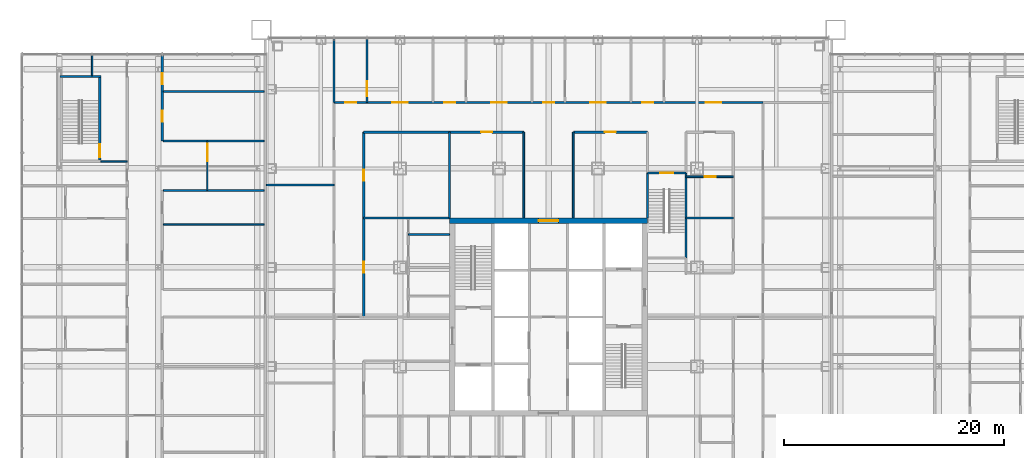
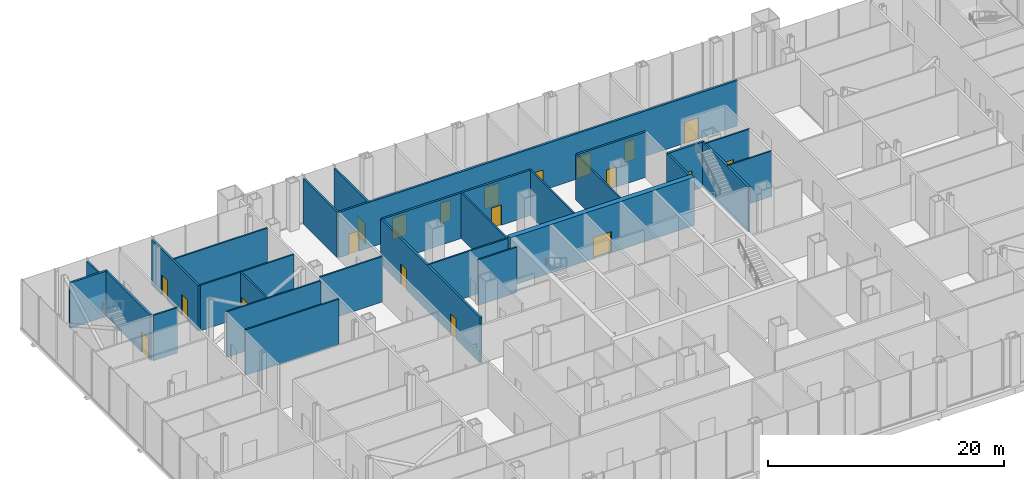
# One storey, part 16 of 25: 28 walls, 20 doors, 20 openings.
"""IFC4 building model written with IfcOpenShell, lengths in metres."""

from ifc_helpers import new_model, si_unit, direction, frame, frame_2d, origin, place, context, subcontext, project, spatial, rectangle, extrude, material, layer, layer_set, type_object, element, fill, save


model = new_model("IFC4")

# Units and contexts
model_context = context("Model", 3, precision=1e-05, world=origin(), true_north=direction((0.0, 1.0)))
body_context = subcontext(model_context, "Body", "Model", "MODEL_VIEW")
ifc_project = project(units=[si_unit("LENGTHUNIT", "METRE"), si_unit("AREAUNIT", "SQUARE_METRE"), si_unit("VOLUMEUNIT", "CUBIC_METRE"), si_unit("PLANEANGLEUNIT", "RADIAN"), si_unit("MASSUNIT", "GRAM", prefix="KILO")], contexts=[model_context])

# Site, building, storey
site_placement = place(None, origin())
site = spatial("IfcSite", under=ifc_project, at=site_placement, CompositionType="ELEMENT")
building_placement = place(site_placement, origin())
building = spatial("IfcBuilding", under=site, at=building_placement, Name="Malebo Sky Hospital", CompositionType="ELEMENT")
storey_placement = place(building_placement, frame((0.0, 0.0, 6.0)))
storey = spatial("IfcBuildingStorey", under=building, at=storey_placement, Name="L01", CompositionType="ELEMENT", Elevation=6.0)

# Wall, opening, door
ifc_material_1 = material(Name="Concrete C80/95", Category="concrete")
ifc_layer_1 = layer(ifc_material_1, 0.5)
ifc_layer_set_1 = layer_set([ifc_layer_1], Name="CORE WALL 500")
wall_type_1 = type_object("IfcWallType", Name="CORE WALL 500", PredefinedType="SHEAR", material=ifc_layer_set_1)
wall_1_placement = place(storey_placement, frame((51.0, 70.75, 0.0), z_axis=(0.0, 0.0, 1.0), x_axis=(1.0, 0.0, 0.0)))
wall_1 = element("IfcWall", 1, at=wall_1_placement, inside=storey, type_object=wall_type_1, Name="Core wall N L01", PredefinedType="SHEAR", context=body_context, shape_type="SweptSolid", body=[
    extrude(rectangle(XDim=18.0, YDim=0.5, at=frame_2d((9.0, 0.0))), origin(), (0.0, 0.0, 1.0), 5.0),
])
opening_1_placement = place(wall_1_placement, frame((8.10009765625, 0.0, 0.0)))
opening_1 = element("IfcOpeningElement", 2, at=opening_1_placement, cuts=wall_1, Name="Opening D06", PredefinedType="OPENING", context=body_context, shape_type="SweptSolid", body=[
    extrude(rectangle(XDim=1.800048828125, YDim=2.199951171875, at=frame_2d((0.89990234375, 1.10009765625))), frame((0.0, 0.260009765625, 0.0), z_axis=(0.0, -1.0, 0.0), x_axis=(1.0, 0.0, 0.0)), (0.0, 0.0, 1.0), 0.52001953125),
])
ifc_material_2 = material(Name="Hardwood-faced door leaf in steel frame", Category="steel")
door_type_1 = type_object("IfcDoorType", Name="LOBBY DOOR PAIR 1800", OperationType="DOUBLE_DOOR_SINGLE_SWING", PredefinedType="DOOR", material=ifc_material_2)
door_1_placement = place(opening_1_placement, origin())
door_1 = element("IfcDoor", 3, at=door_1_placement, inside=storey, type_object=door_type_1, Name="ward pantry door north", OperationType="DOUBLE_DOOR_SINGLE_SWING", OverallHeight=2.199951171875, OverallWidth=1.800048828125, PredefinedType="DOOR", context=body_context, shape_type="SweptSolid", body=[
    extrude(rectangle(XDim=1.800048828125, YDim=2.199951171875, at=frame_2d((0.89990234375, 1.10009765625))), frame((0.0, 0.02490234375, 0.0), z_axis=(0.0, -1.0, 0.0), x_axis=(1.0, 0.0, 0.0)), (0.0, 0.0, 1.0), 0.050048828125),
])
fill(opening_1, door_1)

# Wall, openings, doors
ifc_material_3 = material(Name="Gypsum board on steel studs", Category="steel")
ifc_layer_2 = layer(ifc_material_3, 0.199951171875)
ifc_layer_set_2 = layer_set([ifc_layer_2], Name="CORRIDOR WALL 200")
wall_type_2 = type_object("IfcWallType", Name="CORRIDOR WALL 200", PredefinedType="PARTITIONING", material=ifc_layer_set_2)
wall_2_placement = place(storey_placement, frame((40.5, 81.5, 0.0), z_axis=(0.0, 0.0, 1.0), x_axis=(1.0, 0.0, 0.0)))
wall_2 = element("IfcWall", 4, at=wall_2_placement, inside=storey, type_object=wall_type_2, Name="Corridor Wall 200 NCO", PredefinedType="PARTITIONING", context=body_context, shape_type="SweptSolid", body=[
    extrude(rectangle(XDim=39.0, YDim=0.199951171875, at=frame_2d((19.5, 0.0))), origin(), (0.0, 0.0, 1.0), 4.699951171875),
])
opening_2_placement = place(wall_2_placement, frame((1.0, 0.0, 0.0)))
opening_2 = element("IfcOpeningElement", 5, at=opening_2_placement, cuts=wall_2, Name="Opening D03", PredefinedType="OPENING", context=body_context, shape_type="SweptSolid", body=[
    extrude(rectangle(XDim=1.0, YDim=2.10009765625, at=frame_2d((0.5, 1.050048828125))), frame((0.0, 0.10986328125, 0.0), z_axis=(0.0, -1.0, 0.0), x_axis=(1.0, 0.0, 0.0)), (0.0, 0.0, 1.0), 0.219970703125),
])
opening_3_placement = place(wall_2_placement, frame((5.300048828125, 0.0, 0.0)))
opening_3 = element("IfcOpeningElement", 6, at=opening_3_placement, cuts=wall_2, Name="Opening D26", PredefinedType="OPENING", context=body_context, shape_type="SweptSolid", body=[
    extrude(rectangle(XDim=1.39990234375, YDim=2.199951171875, at=frame_2d((0.699951171875, 1.10009765625))), frame((0.0, 0.10986328125, 0.0), z_axis=(0.0, -1.0, 0.0), x_axis=(1.0, 0.0, 0.0)), (0.0, 0.0, 1.0), 0.219970703125),
])
opening_4_placement = place(wall_2_placement, frame((10.0, 0.0, 0.0)))
opening_4 = element("IfcOpeningElement", 7, at=opening_4_placement, cuts=wall_2, Name="Opening D03", PredefinedType="OPENING", context=body_context, shape_type="SweptSolid", body=[
    extrude(rectangle(XDim=1.0, YDim=2.10009765625, at=frame_2d((0.5, 1.050048828125))), frame((0.0, 0.10986328125, 0.0), z_axis=(0.0, -1.0, 0.0), x_axis=(1.0, 0.0, 0.0)), (0.0, 0.0, 1.0), 0.219970703125),
])
opening_5_placement = place(wall_2_placement, frame((14.300048828125, 0.0, 0.0)))
opening_5 = element("IfcOpeningElement", 8, at=opening_5_placement, cuts=wall_2, Name="Opening D26", PredefinedType="OPENING", context=body_context, shape_type="SweptSolid", body=[
    extrude(rectangle(XDim=1.39990234375, YDim=2.199951171875, at=frame_2d((0.699951171875, 1.10009765625))), frame((0.0, 0.10986328125, 0.0), z_axis=(0.0, -1.0, 0.0), x_axis=(1.0, 0.0, 0.0)), (0.0, 0.0, 1.0), 0.219970703125),
])
opening_6_placement = place(wall_2_placement, frame((19.0, 0.0, 0.0)))
opening_6 = element("IfcOpeningElement", 9, at=opening_6_placement, cuts=wall_2, Name="Opening D03", PredefinedType="OPENING", context=body_context, shape_type="SweptSolid", body=[
    extrude(rectangle(XDim=1.0, YDim=2.10009765625, at=frame_2d((0.5, 1.050048828125))), frame((0.0, 0.10986328125, 0.0), z_axis=(0.0, -1.0, 0.0), x_axis=(1.0, 0.0, 0.0)), (0.0, 0.0, 1.0), 0.219970703125),
])
opening_7_placement = place(wall_2_placement, frame((23.300048828125, 0.0, 0.0)))
opening_7 = element("IfcOpeningElement", 10, at=opening_7_placement, cuts=wall_2, Name="Opening D26", PredefinedType="OPENING", context=body_context, shape_type="SweptSolid", body=[
    extrude(rectangle(XDim=1.39990234375, YDim=2.199951171875, at=frame_2d((0.699951171875, 1.10009765625))), frame((0.0, 0.10986328125, 0.0), z_axis=(0.0, -1.0, 0.0), x_axis=(1.0, 0.0, 0.0)), (0.0, 0.0, 1.0), 0.219970703125),
])
opening_8_placement = place(wall_2_placement, frame((28.0, 0.0, 0.0)))
opening_8 = element("IfcOpeningElement", 11, at=opening_8_placement, cuts=wall_2, Name="Opening D03", PredefinedType="OPENING", context=body_context, shape_type="SweptSolid", body=[
    extrude(rectangle(XDim=1.0, YDim=2.10009765625, at=frame_2d((0.5, 1.050048828125))), frame((0.0, 0.10986328125, 0.0), z_axis=(0.0, -1.0, 0.0), x_axis=(1.0, 0.0, 0.0)), (0.0, 0.0, 1.0), 0.219970703125),
])
opening_9_placement = place(wall_2_placement, frame((33.800048828125, 0.0, 0.0)))
opening_9 = element("IfcOpeningElement", 12, at=opening_9_placement, cuts=wall_2, Name="Opening D26", PredefinedType="OPENING", context=body_context, shape_type="SweptSolid", body=[
    extrude(rectangle(XDim=1.39990234375, YDim=2.199951171875, at=frame_2d((0.699951171875, 1.10009765625))), frame((0.0, 0.10986328125, 0.0), z_axis=(0.0, -1.0, 0.0), x_axis=(1.0, 0.0, 0.0)), (0.0, 0.0, 1.0), 0.219970703125),
])
ifc_material_4 = material(Name="Lead-lined hardwood-faced door leaf in steel frame", Category="steel")
door_type_2 = type_object("IfcDoorType", Name="LEAD-LINED BED DOOR PAIR 1400", OperationType="DOUBLE_DOOR_SINGLE_SWING", PredefinedType="DOOR", material=ifc_material_4)
door_2_placement = place(opening_3_placement, origin())
door_2 = element("IfcDoor", 13, at=door_2_placement, inside=storey, type_object=door_type_2, Name="Mammography room door", OperationType="DOUBLE_DOOR_SINGLE_SWING", OverallHeight=2.199951171875, OverallWidth=1.39990234375, PredefinedType="DOOR", context=body_context, shape_type="SweptSolid", body=[
    extrude(rectangle(XDim=1.39990234375, YDim=2.199951171875, at=frame_2d((0.699951171875, 1.10009765625))), frame((0.0, 0.02490234375, 0.0), z_axis=(0.0, -1.0, 0.0), x_axis=(1.0, 0.0, 0.0)), (0.0, 0.0, 1.0), 0.050048828125),
])
fill(opening_3, door_2)
door_3_placement = place(opening_5_placement, origin())
door_3 = element("IfcDoor", 14, at=door_3_placement, inside=storey, type_object=door_type_2, Name="X-ray room door", OperationType="DOUBLE_DOOR_SINGLE_SWING", OverallHeight=2.199951171875, OverallWidth=1.39990234375, PredefinedType="DOOR", context=body_context, shape_type="SweptSolid", body=[
    extrude(rectangle(XDim=1.39990234375, YDim=2.199951171875, at=frame_2d((0.699951171875, 1.10009765625))), frame((0.0, 0.02490234375, 0.0), z_axis=(0.0, -1.0, 0.0), x_axis=(1.0, 0.0, 0.0)), (0.0, 0.0, 1.0), 0.050048828125),
])
fill(opening_5, door_3)
door_4_placement = place(opening_7_placement, origin())
door_4 = element("IfcDoor", 15, at=door_4_placement, inside=storey, type_object=door_type_2, Name="Fluoroscopy room door", OperationType="DOUBLE_DOOR_SINGLE_SWING", OverallHeight=2.199951171875, OverallWidth=1.39990234375, PredefinedType="DOOR", context=body_context, shape_type="SweptSolid", body=[
    extrude(rectangle(XDim=1.39990234375, YDim=2.199951171875, at=frame_2d((0.699951171875, 1.10009765625))), frame((0.0, 0.02490234375, 0.0), z_axis=(0.0, -1.0, 0.0), x_axis=(1.0, 0.0, 0.0)), (0.0, 0.0, 1.0), 0.050048828125),
])
fill(opening_7, door_4)
door_5_placement = place(opening_9_placement, origin())
door_5 = element("IfcDoor", 16, at=door_5_placement, inside=storey, type_object=door_type_2, Name="Interventional radiology room door", OperationType="DOUBLE_DOOR_SINGLE_SWING", OverallHeight=2.199951171875, OverallWidth=1.39990234375, PredefinedType="DOOR", context=body_context, shape_type="SweptSolid", body=[
    extrude(rectangle(XDim=1.39990234375, YDim=2.199951171875, at=frame_2d((0.699951171875, 1.10009765625))), frame((0.0, 0.02490234375, 0.0), z_axis=(0.0, -1.0, 0.0), x_axis=(1.0, 0.0, 0.0)), (0.0, 0.0, 1.0), 0.050048828125),
])
fill(opening_9, door_5)
door_type_3 = type_object("IfcDoorType", Name="ROOM DOOR 1000", OperationType="SINGLE_SWING_LEFT", PredefinedType="DOOR", material=ifc_material_2)
door_6_placement = place(opening_2_placement, origin())
door_6 = element("IfcDoor", 17, at=door_6_placement, inside=storey, type_object=door_type_3, Name="Mammography control room door", OperationType="SINGLE_SWING_LEFT", OverallHeight=2.10009765625, OverallWidth=1.0, PredefinedType="DOOR", context=body_context, shape_type="SweptSolid", body=[
    extrude(rectangle(XDim=1.0, YDim=2.10009765625, at=frame_2d((0.5, 1.050048828125))), frame((0.0, 0.02490234375, 0.0), z_axis=(0.0, -1.0, 0.0), x_axis=(1.0, 0.0, 0.0)), (0.0, 0.0, 1.0), 0.050048828125),
])
fill(opening_2, door_6)
door_7_placement = place(opening_4_placement, origin())
door_7 = element("IfcDoor", 18, at=door_7_placement, inside=storey, type_object=door_type_3, Name="X-ray control room door", OperationType="SINGLE_SWING_LEFT", OverallHeight=2.10009765625, OverallWidth=1.0, PredefinedType="DOOR", context=body_context, shape_type="SweptSolid", body=[
    extrude(rectangle(XDim=1.0, YDim=2.10009765625, at=frame_2d((0.5, 1.050048828125))), frame((0.0, 0.02490234375, 0.0), z_axis=(0.0, -1.0, 0.0), x_axis=(1.0, 0.0, 0.0)), (0.0, 0.0, 1.0), 0.050048828125),
])
fill(opening_4, door_7)
door_8_placement = place(opening_6_placement, origin())
door_8 = element("IfcDoor", 19, at=door_8_placement, inside=storey, type_object=door_type_3, Name="Fluoroscopy control room door", OperationType="SINGLE_SWING_LEFT", OverallHeight=2.10009765625, OverallWidth=1.0, PredefinedType="DOOR", context=body_context, shape_type="SweptSolid", body=[
    extrude(rectangle(XDim=1.0, YDim=2.10009765625, at=frame_2d((0.5, 1.050048828125))), frame((0.0, 0.02490234375, 0.0), z_axis=(0.0, -1.0, 0.0), x_axis=(1.0, 0.0, 0.0)), (0.0, 0.0, 1.0), 0.050048828125),
])
fill(opening_6, door_8)
door_9_placement = place(opening_8_placement, origin())
door_9 = element("IfcDoor", 20, at=door_9_placement, inside=storey, type_object=door_type_3, Name="Interventional radiology control room door", OperationType="SINGLE_SWING_LEFT", OverallHeight=2.10009765625, OverallWidth=1.0, PredefinedType="DOOR", context=body_context, shape_type="SweptSolid", body=[
    extrude(rectangle(XDim=1.0, YDim=2.10009765625, at=frame_2d((0.5, 1.050048828125))), frame((0.0, 0.02490234375, 0.0), z_axis=(0.0, -1.0, 0.0), x_axis=(1.0, 0.0, 0.0)), (0.0, 0.0, 1.0), 0.050048828125),
])
fill(opening_8, door_9)

# Wall, opening, door
wall_3_placement = place(storey_placement, frame((43.199951171875, 78.800048828125, 0.0), z_axis=(0.0, 0.0, 1.0), x_axis=(1.0, 0.0, 0.0)))
wall_3 = element("IfcWall", 21, at=wall_3_placement, inside=storey, type_object=wall_type_2, Name="Corridor Wall 200 NCI1", PredefinedType="PARTITIONING", context=body_context, shape_type="SweptSolid", body=[
    extrude(rectangle(XDim=14.550048828125, YDim=0.199951171875, at=frame_2d((7.27490234375, 0.0))), origin(), (0.0, 0.0, 1.0), 4.699951171875),
])
opening_10_placement = place(wall_3_placement, frame((10.675048828125, 0.0, 0.0)))
opening_10 = element("IfcOpeningElement", 22, at=opening_10_placement, cuts=wall_3, Name="Opening D03", PredefinedType="OPENING", context=body_context, shape_type="SweptSolid", body=[
    extrude(rectangle(XDim=1.0, YDim=2.10009765625, at=frame_2d((0.5, 1.050048828125))), frame((0.0, 0.10986328125, 0.0), z_axis=(0.0, -1.0, 0.0), x_axis=(1.0, 0.0, 0.0)), (0.0, 0.0, 1.0), 0.219970703125),
])
door_10_placement = place(opening_10_placement, origin())
door_10 = element("IfcDoor", 23, at=door_10_placement, inside=storey, type_object=door_type_3, Name="Imaging staff base door", OperationType="SINGLE_SWING_LEFT", OverallHeight=2.10009765625, OverallWidth=1.0, PredefinedType="DOOR", context=body_context, shape_type="SweptSolid", body=[
    extrude(rectangle(XDim=1.0, YDim=2.10009765625, at=frame_2d((0.5, 1.050048828125))), frame((0.0, 0.02490234375, 0.0), z_axis=(0.0, -1.0, 0.0), x_axis=(1.0, 0.0, 0.0)), (0.0, 0.0, 1.0), 0.050048828125),
])
fill(opening_10, door_10)

wall_4_placement = place(storey_placement, frame((62.25, 78.800048828125, 0.0), z_axis=(0.0, 0.0, 1.0), x_axis=(1.0, 0.0, 0.0)))
wall_4 = element("IfcWall", 24, at=wall_4_placement, inside=storey, type_object=wall_type_2, Name="Corridor Wall 200 NCI2", PredefinedType="PARTITIONING", context=body_context, shape_type="SweptSolid", body=[
    extrude(rectangle(XDim=6.75, YDim=0.199951171875, at=frame_2d((3.375, 0.0))), origin(), (0.0, 0.0, 1.0), 4.699951171875),
])
opening_11_placement = place(wall_4_placement, frame((2.875, 0.0, 0.0)))
opening_11 = element("IfcOpeningElement", 25, at=opening_11_placement, cuts=wall_4, Name="Opening D03", PredefinedType="OPENING", context=body_context, shape_type="SweptSolid", body=[
    extrude(rectangle(XDim=1.0, YDim=2.10009765625, at=frame_2d((0.5, 1.050048828125))), frame((0.0, 0.10986328125, 0.0), z_axis=(0.0, -1.0, 0.0), x_axis=(1.0, 0.0, 0.0)), (0.0, 0.0, 1.0), 0.219970703125),
])
door_11_placement = place(opening_11_placement, origin())
door_11 = element("IfcDoor", 26, at=door_11_placement, inside=storey, type_object=door_type_3, Name="Contrast store door", OperationType="SINGLE_SWING_RIGHT", OverallHeight=2.10009765625, OverallWidth=1.0, PredefinedType="DOOR", context=body_context, shape_type="SweptSolid", body=[
    extrude(rectangle(XDim=1.0, YDim=2.10009765625, at=frame_2d((0.5, 1.050048828125))), frame((0.0, 0.02490234375, 0.0), z_axis=(0.0, -1.0, 0.0), x_axis=(1.0, 0.0, 0.0)), (0.0, 0.0, 1.0), 0.050048828125),
])
fill(opening_11, door_11)

# Wall, openings, doors
wall_5_placement = place(storey_placement, frame((43.199951171875, 62.0, 0.0), z_axis=(0.0, 0.0, 1.0), x_axis=(0.0, 1.0, 0.0)))
wall_5 = element("IfcWall", 27, at=wall_5_placement, inside=storey, type_object=wall_type_2, Name="Corridor Wall 200 WCI2", PredefinedType="PARTITIONING", context=body_context, shape_type="SweptSolid", body=[
    extrude(rectangle(XDim=16.800048828125, YDim=0.199951171875, at=frame_2d((8.39990234375, 0.0))), origin(), (0.0, 0.0, 1.0), 4.699951171875),
])
opening_12_placement = place(wall_5_placement, frame((4.0, 0.0, 0.0)))
opening_12 = element("IfcOpeningElement", 28, at=opening_12_placement, cuts=wall_5, Name="Opening D03", PredefinedType="OPENING", context=body_context, shape_type="SweptSolid", body=[
    extrude(rectangle(XDim=1.0, YDim=2.10009765625, at=frame_2d((0.5, 1.050048828125))), frame((0.0, 0.10986328125, 0.0), z_axis=(0.0, -1.0, 0.0), x_axis=(1.0, 0.0, 0.0)), (0.0, 0.0, 1.0), 0.219970703125),
])
opening_13_placement = place(wall_5_placement, frame((12.39990234375, 0.0, 0.0)))
opening_13 = element("IfcOpeningElement", 29, at=opening_13_placement, cuts=wall_5, Name="Opening D03", PredefinedType="OPENING", context=body_context, shape_type="SweptSolid", body=[
    extrude(rectangle(XDim=1.0, YDim=2.10009765625, at=frame_2d((0.5, 1.050048828125))), frame((0.0, 0.10986328125, 0.0), z_axis=(0.0, -1.0, 0.0), x_axis=(1.0, 0.0, 0.0)), (0.0, 0.0, 1.0), 0.219970703125),
])
door_12_placement = place(opening_12_placement, origin())
door_12 = element("IfcDoor", 30, at=door_12_placement, inside=storey, type_object=door_type_3, Name="Staff WC vestibule door", OperationType="SINGLE_SWING_LEFT", OverallHeight=2.10009765625, OverallWidth=1.0, PredefinedType="DOOR", context=body_context, shape_type="SweptSolid", body=[
    extrude(rectangle(XDim=1.0, YDim=2.10009765625, at=frame_2d((0.5, 1.050048828125))), frame((0.0, 0.02490234375, 0.0), z_axis=(0.0, -1.0, 0.0), x_axis=(1.0, 0.0, 0.0)), (0.0, 0.0, 1.0), 0.050048828125),
])
fill(opening_12, door_12)
door_13_placement = place(opening_13_placement, origin())
door_13 = element("IfcDoor", 31, at=door_13_placement, inside=storey, type_object=door_type_3, Name="Staff rest room door", OperationType="SINGLE_SWING_RIGHT", OverallHeight=2.10009765625, OverallWidth=1.0, PredefinedType="DOOR", context=body_context, shape_type="SweptSolid", body=[
    extrude(rectangle(XDim=1.0, YDim=2.10009765625, at=frame_2d((0.5, 1.050048828125))), frame((0.0, 0.02490234375, 0.0), z_axis=(0.0, -1.0, 0.0), x_axis=(1.0, 0.0, 0.0)), (0.0, 0.0, 1.0), 0.050048828125),
])
fill(opening_13, door_13)

wall_6_placement = place(storey_placement, frame((24.882080078125, 78.0, 0.0), z_axis=(0.0, 0.0, 1.0), x_axis=(0.0, 1.0, 0.0)))
wall_6 = element("IfcWall", 32, at=wall_6_placement, inside=storey, type_object=wall_type_2, Name="Corridor Wall 200 WWC2C2", PredefinedType="PARTITIONING", context=body_context, shape_type="SweptSolid", body=[
    extrude(rectangle(XDim=7.85009765625, YDim=0.199951171875, at=frame_2d((3.925048828125, 0.0))), origin(), (0.0, 0.0, 1.0), 4.699951171875),
])
opening_14_placement = place(wall_6_placement, frame((1.75, 0.0, 0.0)))
opening_14 = element("IfcOpeningElement", 33, at=opening_14_placement, cuts=wall_6, Name="Opening D03", PredefinedType="OPENING", context=body_context, shape_type="SweptSolid", body=[
    extrude(rectangle(XDim=1.0, YDim=2.10009765625, at=frame_2d((0.5, 1.050048828125))), frame((0.0, 0.10986328125, 0.0), z_axis=(0.0, -1.0, 0.0), x_axis=(1.0, 0.0, 0.0)), (0.0, 0.0, 1.0), 0.219970703125),
])
opening_15_placement = place(wall_6_placement, frame((5.175048828125, 0.0, 0.0)))
opening_15 = element("IfcOpeningElement", 34, at=opening_15_placement, cuts=wall_6, Name="Opening D03", PredefinedType="OPENING", context=body_context, shape_type="SweptSolid", body=[
    extrude(rectangle(XDim=1.0, YDim=2.10009765625, at=frame_2d((0.5, 1.050048828125))), frame((0.0, 0.10986328125, 0.0), z_axis=(0.0, -1.0, 0.0), x_axis=(1.0, 0.0, 0.0)), (0.0, 0.0, 1.0), 0.219970703125),
])
door_14_placement = place(opening_14_placement, origin())
door_14 = element("IfcDoor", 35, at=door_14_placement, inside=storey, type_object=door_type_3, Name="Imaging staff base door", OperationType="SINGLE_SWING_LEFT", OverallHeight=2.10009765625, OverallWidth=1.0, PredefinedType="DOOR", context=body_context, shape_type="SweptSolid", body=[
    extrude(rectangle(XDim=1.0, YDim=2.10009765625, at=frame_2d((0.5, 1.050048828125))), frame((0.0, 0.02490234375, 0.0), z_axis=(0.0, -1.0, 0.0), x_axis=(1.0, 0.0, 0.0)), (0.0, 0.0, 1.0), 0.050048828125),
])
fill(opening_14, door_14)
door_15_placement = place(opening_15_placement, origin())
door_15 = element("IfcDoor", 36, at=door_15_placement, inside=storey, type_object=door_type_3, Name="Contrast store door", OperationType="SINGLE_SWING_LEFT", OverallHeight=2.10009765625, OverallWidth=1.0, PredefinedType="DOOR", context=body_context, shape_type="SweptSolid", body=[
    extrude(rectangle(XDim=1.0, YDim=2.10009765625, at=frame_2d((0.5, 1.050048828125))), frame((0.0, 0.02490234375, 0.0), z_axis=(0.0, -1.0, 0.0), x_axis=(1.0, 0.0, 0.0)), (0.0, 0.0, 1.0), 0.050048828125),
])
fill(opening_15, door_15)

# Walls
ifc_layer_3 = layer(ifc_material_3, 0.14990234375)
ifc_layer_set_3 = layer_set([ifc_layer_3], Name="PARTITION 150")
wall_type_3 = type_object("IfcWallType", Name="PARTITION 150", PredefinedType="PARTITIONING", material=ifc_layer_set_3)
for number, where, z_axis, x_axis, name in (
    (37, (51.0, 71.0, 0.0), (0.0, 0.0, 1.0), (0.0, 1.0, 0.0), "Partition 150 NSPM"),
    (38, (57.75, 71.0, 0.0), (0.0, 0.0, 1.0), (0.0, 1.0, 0.0), "Partition 150 NSPA"),
    (39, (62.25, 71.0, 0.0), (0.0, 0.0, 1.0), (0.0, 1.0, 0.0), "Partition 150 NSPB"),
):
    element("IfcWall", number, at=place(storey_placement, frame(where, z_axis=z_axis, x_axis=x_axis)), inside=storey, type_object=wall_type_3, Name=name, PredefinedType="PARTITIONING", context=body_context, shape_type="SweptSolid", body=[
        extrude(rectangle(XDim=7.800048828125, YDim=0.14990234375, at=frame_2d((3.89990234375, 0.0))), origin(), (0.0, 0.0, 1.0), 4.699951171875),
    ])

# Wall, opening, door
wall_7_placement = place(storey_placement, frame((72.5, 74.75, 0.0), z_axis=(0.0, 0.0, 1.0), x_axis=(1.0, 0.0, 0.0)))
wall_7 = element("IfcWall", 40, at=wall_7_placement, inside=storey, type_object=wall_type_3, Name="Partition 150 NS2F", PredefinedType="PARTITIONING", context=body_context, shape_type="SweptSolid", body=[
    extrude(rectangle(XDim=4.300048828125, YDim=0.14990234375, at=frame_2d((2.14990234375, 0.0))), origin(), (0.0, 0.0, 1.0), 4.699951171875),
])
opening_16_placement = place(wall_7_placement, frame((1.699951171875, 0.0, 0.0)))
opening_16 = element("IfcOpeningElement", 41, at=opening_16_placement, cuts=wall_7, Name="Opening D03", PredefinedType="OPENING", context=body_context, shape_type="SweptSolid", body=[
    extrude(rectangle(XDim=1.0, YDim=2.10009765625, at=frame_2d((0.5, 1.050048828125))), frame((0.0, 0.0849609375, 0.0), z_axis=(0.0, -1.0, 0.0), x_axis=(1.0, 0.0, 0.0)), (0.0, 0.0, 1.0), 0.169921875),
])
door_16_placement = place(opening_16_placement, origin())
door_16 = element("IfcDoor", 42, at=door_16_placement, inside=storey, type_object=door_type_3, Name="Accessible WC door", OperationType="SINGLE_SWING_RIGHT", OverallHeight=2.10009765625, OverallWidth=1.0, PredefinedType="DOOR", context=body_context, shape_type="SweptSolid", body=[
    extrude(rectangle(XDim=1.0, YDim=2.10009765625, at=frame_2d((0.5, 1.050048828125))), frame((0.0, 0.02490234375, 0.0), z_axis=(0.0, -1.0, 0.0), x_axis=(1.0, 0.0, 0.0)), (0.0, 0.0, 1.0), 0.050048828125),
])
fill(opening_16, door_16)

# Walls
wall_8_placement = place(storey_placement, frame((40.5, 74.0, 0.0), z_axis=(0.0, 0.0, 1.0), x_axis=(-1.0, 0.0, 0.0)))
element("IfcWall", 43, at=wall_8_placement, inside=storey, type_object=wall_type_3, Name="Partition 150 WP+12.0", PredefinedType="PARTITIONING", context=body_context, shape_type="SweptSolid", body=[
    extrude(rectangle(XDim=6.14990234375, YDim=0.14990234375, at=frame_2d((3.074951171875, 0.0))), origin(), (0.0, 0.0, 1.0), 4.699951171875),
])
wall_9_placement = place(storey_placement, frame((51.0, 71.0, 0.0), z_axis=(0.0, 0.0, 1.0), x_axis=(-1.0, 0.0, 0.0)))
element("IfcWall", 44, at=wall_9_placement, inside=storey, type_object=wall_type_3, Name="Partition 150 WSP9", PredefinedType="PARTITIONING", context=body_context, shape_type="SweptSolid", body=[
    extrude(rectangle(XDim=7.800048828125, YDim=0.14990234375, at=frame_2d((3.89990234375, 0.0))), origin(), (0.0, 0.0, 1.0), 4.699951171875),
])
wall_10_placement = place(storey_placement, frame((51.0, 69.5, 0.0), z_axis=(0.0, 0.0, 1.0), x_axis=(-1.0, 0.0, 0.0)))
element("IfcWall", 45, at=wall_10_placement, inside=storey, type_object=wall_type_3, Name="Partition 150 WS1W3", PredefinedType="PARTITIONING", context=body_context, shape_type="SweptSolid", body=[
    extrude(rectangle(XDim=3.75, YDim=0.14990234375, at=frame_2d((1.875, 0.0))), origin(), (0.0, 0.0, 1.0), 4.699951171875),
])
wall_11_placement = place(storey_placement, frame((72.5, 71.0, 0.0), z_axis=(0.0, 0.0, 1.0), x_axis=(1.0, 0.0, 0.0)))
element("IfcWall", 46, at=wall_11_placement, inside=storey, type_object=wall_type_3, Name="Partition 150 ESPM", PredefinedType="PARTITIONING", context=body_context, shape_type="SweptSolid", body=[
    extrude(rectangle(XDim=4.300048828125, YDim=0.14990234375, at=frame_2d((2.14990234375, 0.0))), origin(), (0.0, 0.0, 1.0), 4.699951171875),
])
wall_12_placement = place(storey_placement, frame((19.300048828125, 76.14990234375, 0.0), z_axis=(0.0, 0.0, 1.0), x_axis=(1.0, 0.0, 0.0)))
element("IfcWall", 47, at=wall_12_placement, inside=storey, type_object=wall_type_3, Name="Partition 150 WLS", PredefinedType="PARTITIONING", context=body_context, shape_type="SweptSolid", body=[
    extrude(rectangle(XDim=2.39306640625, YDim=0.14990234375, at=frame_2d((1.196533203125, 0.0))), origin(), (0.0, 0.0, 1.0), 4.699951171875),
])
wall_13_placement = place(storey_placement, frame((18.50390625, 83.949951171875, 0.0), z_axis=(0.0, 0.0, 1.0), x_axis=(0.0, 1.0, 0.0)))
element("IfcWall", 48, at=wall_13_placement, inside=storey, type_object=wall_type_3, Name="Partition 150 WLW", PredefinedType="PARTITIONING", context=body_context, shape_type="SweptSolid", body=[
    extrude(rectangle(XDim=1.900146484375, YDim=0.14990234375, at=frame_2d((0.9501953125, 0.0))), origin(), (0.0, 0.0, 1.0), 4.699951171875),
])
for number, where, z_axis, x_axis, name in (
    (49, (24.98193359375, 70.39990234375, 0.0), (0.0, 0.0, 1.0), (1.0, 0.0, 0.0), "Partition 150 WIH08"),
    (50, (24.98193359375, 73.5, 0.0), (0.0, 0.0, 1.0), (1.0, 0.0, 0.0), "Partition 150 WIH09"),
    (51, (24.98193359375, 78.0, 0.0), (0.0, 0.0, 1.0), (1.0, 0.0, 0.0), "Partition 150 WIH10"),
    (52, (24.98193359375, 82.5, 0.0), (0.0, 0.0, 1.0), (1.0, 0.0, 0.0), "Partition 150 WIH11"),
):
    element("IfcWall", number, at=place(storey_placement, frame(where, z_axis=z_axis, x_axis=x_axis)), inside=storey, type_object=wall_type_3, Name=name, PredefinedType="PARTITIONING", context=body_context, shape_type="SweptSolid", body=[
        extrude(rectangle(XDim=9.16796875, YDim=0.14990234375, at=frame_2d((4.583984375, 0.0))), origin(), (0.0, 0.0, 1.0), 4.699951171875),
    ])

# Wall, opening, door
wall_14_placement = place(storey_placement, frame((28.98193359375, 73.5, 0.0), z_axis=(0.0, 0.0, 1.0), x_axis=(0.0, 1.0, 0.0)))
wall_14 = element("IfcWall", 53, at=wall_14_placement, inside=storey, type_object=wall_type_3, Name="Partition 150 WIV13", PredefinedType="PARTITIONING", context=body_context, shape_type="SweptSolid", body=[
    extrude(rectangle(XDim=4.5, YDim=0.14990234375, at=frame_2d((2.25, 0.0))), origin(), (0.0, 0.0, 1.0), 4.699951171875),
])
opening_17_placement = place(wall_14_placement, frame((2.64990234375, 0.0, 0.0)))
opening_17 = element("IfcOpeningElement", 54, at=opening_17_placement, cuts=wall_14, Name="Opening D14", PredefinedType="OPENING", context=body_context, shape_type="SweptSolid", body=[
    extrude(rectangle(XDim=1.60009765625, YDim=2.199951171875, at=frame_2d((0.800048828125, 1.10009765625))), frame((0.0, 0.0849609375, 0.0), z_axis=(0.0, -1.0, 0.0), x_axis=(1.0, 0.0, 0.0)), (0.0, 0.0, 1.0), 0.169921875),
])
door_type_4 = type_object("IfcDoorType", Name="DEPARTMENT DOOR PAIR 1600", OperationType="DOUBLE_DOOR_DOUBLE_SWING", PredefinedType="DOOR", material=ifc_material_2)
door_17_placement = place(opening_17_placement, origin())
door_17 = element("IfcDoor", 55, at=door_17_placement, inside=storey, type_object=door_type_4, Name="Imaging waiting area inner door", OperationType="DOUBLE_DOOR_DOUBLE_SWING", OverallHeight=2.199951171875, OverallWidth=1.60009765625, PredefinedType="DOOR", context=body_context, shape_type="SweptSolid", body=[
    extrude(rectangle(XDim=1.60009765625, YDim=2.199951171875, at=frame_2d((0.800048828125, 1.10009765625))), frame((0.0, 0.02490234375, 0.0), z_axis=(0.0, -1.0, 0.0), x_axis=(1.0, 0.0, 0.0)), (0.0, 0.0, 1.0), 0.050048828125),
])
fill(opening_17, door_17)

# Wall
ifc_material_5 = material(Name="Lead-lined gypsum board on steel studs", Category="steel")
ifc_layer_4 = layer(ifc_material_5, 0.175048828125)
ifc_layer_set_4 = layer_set([ifc_layer_4], Name="SHIELDED PARTITION 175")
wall_type_4 = type_object("IfcWallType", Name="SHIELDED PARTITION 175", PredefinedType="PARTITIONING", material=ifc_layer_set_4)
wall_15_placement = place(storey_placement, frame((40.5, 81.5, 0.0), z_axis=(0.0, 0.0, 1.0), x_axis=(0.0, 1.0, 0.0)))
element("IfcWall", 56, at=wall_15_placement, inside=storey, type_object=wall_type_4, Name="Shielded Partition 175 NP-19.5", PredefinedType="PARTITIONING", context=body_context, shape_type="SweptSolid", body=[
    extrude(rectangle(XDim=5.75, YDim=0.175048828125, at=frame_2d((2.875, 0.0))), origin(), (0.0, 0.0, 1.0), 4.699951171875),
])

# Wall, opening, door
wall_16_placement = place(storey_placement, frame((43.5, 81.5, 0.0), z_axis=(0.0, 0.0, 1.0), x_axis=(0.0, 1.0, 0.0)))
wall_16 = element("IfcWall", 57, at=wall_16_placement, inside=storey, type_object=wall_type_4, Name="Shielded Partition 175 NP-16.5", PredefinedType="PARTITIONING", context=body_context, shape_type="SweptSolid", body=[
    extrude(rectangle(XDim=5.75, YDim=0.175048828125, at=frame_2d((2.875, 0.0))), origin(), (0.0, 0.0, 1.0), 4.699951171875),
])
opening_18_placement = place(wall_16_placement, frame((0.550048828125, 0.0, 0.0)))
opening_18 = element("IfcOpeningElement", 58, at=opening_18_placement, cuts=wall_16, Name="Opening D15", PredefinedType="OPENING", context=body_context, shape_type="SweptSolid", body=[
    extrude(rectangle(XDim=1.39990234375, YDim=2.10009765625, at=frame_2d((0.699951171875, 1.050048828125))), frame((0.0, 0.097412109375, 0.0), z_axis=(0.0, -1.0, 0.0), x_axis=(1.0, 0.0, 0.0)), (0.0, 0.0, 1.0), 0.195068359375),
])
door_type_5 = type_object("IfcDoorType", Name="LEAD-LINED DOOR 1400", OperationType="SINGLE_SWING_LEFT", PredefinedType="DOOR", material=ifc_material_4)
door_18_placement = place(opening_18_placement, origin())
door_18 = element("IfcDoor", 59, at=door_18_placement, inside=storey, type_object=door_type_5, Name="Mammography control room inner door", OperationType="SINGLE_SWING_LEFT", OverallHeight=2.10009765625, OverallWidth=1.39990234375, PredefinedType="DOOR", context=body_context, shape_type="SweptSolid", body=[
    extrude(rectangle(XDim=1.39990234375, YDim=2.10009765625, at=frame_2d((0.699951171875, 1.050048828125))), frame((0.0, 0.02490234375, 0.0), z_axis=(0.0, -1.0, 0.0), x_axis=(1.0, 0.0, 0.0)), (0.0, 0.0, 1.0), 0.050048828125),
])
fill(opening_18, door_18)

# Wall
ifc_material_6 = material(Name="Concrete C40/50", Category="concrete")
ifc_layer_5 = layer(ifc_material_6, 0.199951171875)
ifc_layer_set_5 = layer_set([ifc_layer_5], Name="STAIR ENCLOSURE WALL 200")
wall_type_5 = type_object("IfcWallType", Name="STAIR ENCLOSURE WALL 200", PredefinedType="SOLIDWALL", material=ifc_layer_set_5)
wall_17_placement = place(storey_placement, frame((15.60009765625, 83.85009765625, 0.0), z_axis=(0.0, 0.0, 1.0), x_axis=(1.0, 0.0, 0.0)))
element("IfcWall", 60, at=wall_17_placement, inside=storey, type_object=wall_type_5, Name="Stair Enclosure Wall 200 WSN", PredefinedType="SOLIDWALL", context=body_context, shape_type="SweptSolid", body=[
    extrude(rectangle(XDim=3.699951171875, YDim=0.199951171875, at=frame_2d((1.85009765625, 0.0))), origin(), (0.0, 0.0, 1.0), 4.699951171875),
])

# Wall, opening, door
wall_18_placement = place(storey_placement, frame((19.199951171875, 76.25, 0.0), z_axis=(0.0, 0.0, 1.0), x_axis=(0.0, 1.0, 0.0)))
wall_18 = element("IfcWall", 61, at=wall_18_placement, inside=storey, type_object=wall_type_5, Name="Stair Enclosure Wall 200 WSE", PredefinedType="SOLIDWALL", context=body_context, shape_type="SweptSolid", body=[
    extrude(rectangle(XDim=7.5, YDim=0.199951171875, at=frame_2d((3.75, 0.0))), origin(), (0.0, 0.0, 1.0), 4.699951171875),
])
opening_19_placement = place(wall_18_placement, frame((0.25, 0.0, 0.0)))
opening_19 = element("IfcOpeningElement", 62, at=opening_19_placement, cuts=wall_18, Name="Opening D08", PredefinedType="OPENING", context=body_context, shape_type="SweptSolid", body=[
    extrude(rectangle(XDim=1.199951171875, YDim=2.10009765625, at=frame_2d((0.60009765625, 1.050048828125))), frame((0.0, 0.10986328125, 0.0), z_axis=(0.0, -1.0, 0.0), x_axis=(1.0, 0.0, 0.0)), (0.0, 0.0, 1.0), 0.219970703125),
])
door_type_6 = type_object("IfcDoorType", Name="STAIR DOOR 1200", OperationType="SINGLE_SWING_LEFT", PredefinedType="DOOR", material=ifc_material_2)
door_19_placement = place(opening_19_placement, origin())
door_19 = element("IfcDoor", 63, at=door_19_placement, inside=storey, type_object=door_type_6, Name="Stair WS door", OperationType="SINGLE_SWING_LEFT", OverallHeight=2.10009765625, OverallWidth=1.199951171875, PredefinedType="DOOR", context=body_context, shape_type="SweptSolid", body=[
    extrude(rectangle(XDim=1.199951171875, YDim=2.10009765625, at=frame_2d((0.60009765625, 1.050048828125))), frame((0.0, 0.02490234375, 0.0), z_axis=(0.0, -1.0, 0.0), x_axis=(1.0, 0.0, 0.0)), (0.0, 0.0, 1.0), 0.050048828125),
])
fill(opening_19, door_19)

# Walls
wall_19_placement = place(storey_placement, frame((69.0, 71.0, 0.0), z_axis=(0.0, 0.0, 1.0), x_axis=(0.0, 1.0, 0.0)))
element("IfcWall", 64, at=wall_19_placement, inside=storey, type_object=wall_type_5, Name="Stair Enclosure Wall 200 ST3W", PredefinedType="SOLIDWALL", context=body_context, shape_type="SweptSolid", body=[
    extrude(rectangle(XDim=4.10009765625, YDim=0.199951171875, at=frame_2d((2.050048828125, 0.0))), origin(), (0.0, 0.0, 1.0), 4.699951171875),
])
wall_20_placement = place(storey_placement, frame((72.5, 67.35009765625, 0.0), z_axis=(0.0, 0.0, 1.0), x_axis=(0.0, 1.0, 0.0)))
element("IfcWall", 65, at=wall_20_placement, inside=storey, type_object=wall_type_5, Name="Stair Enclosure Wall 200 ST3E", PredefinedType="SOLIDWALL", context=body_context, shape_type="SweptSolid", body=[
    extrude(rectangle(XDim=7.75, YDim=0.199951171875, at=frame_2d((3.875, 0.0))), origin(), (0.0, 0.0, 1.0), 4.699951171875),
])

# Wall, opening, door
wall_21_placement = place(storey_placement, frame((69.0, 75.10009765625, 0.0), z_axis=(0.0, 0.0, 1.0), x_axis=(1.0, 0.0, 0.0)))
wall_21 = element("IfcWall", 66, at=wall_21_placement, inside=storey, type_object=wall_type_5, Name="Stair Enclosure Wall 200 ST3N", PredefinedType="SOLIDWALL", context=body_context, shape_type="SweptSolid", body=[
    extrude(rectangle(XDim=3.5, YDim=0.199951171875, at=frame_2d((1.75, 0.0))), origin(), (0.0, 0.0, 1.0), 4.699951171875),
])
opening_20_placement = place(wall_21_placement, frame((1.14990234375, 0.0, 0.0)))
opening_20 = element("IfcOpeningElement", 67, at=opening_20_placement, cuts=wall_21, Name="Opening D08", PredefinedType="OPENING", context=body_context, shape_type="SweptSolid", body=[
    extrude(rectangle(XDim=1.199951171875, YDim=2.10009765625, at=frame_2d((0.60009765625, 1.050048828125))), frame((0.0, 0.10986328125, 0.0), z_axis=(0.0, -1.0, 0.0), x_axis=(1.0, 0.0, 0.0)), (0.0, 0.0, 1.0), 0.219970703125),
])
door_20_placement = place(opening_20_placement, origin())
door_20 = element("IfcDoor", 68, at=door_20_placement, inside=storey, type_object=door_type_6, Name="Stair S3 door", OperationType="SINGLE_SWING_LEFT", OverallHeight=2.10009765625, OverallWidth=1.199951171875, PredefinedType="DOOR", context=body_context, shape_type="SweptSolid", body=[
    extrude(rectangle(XDim=1.199951171875, YDim=2.10009765625, at=frame_2d((0.60009765625, 1.050048828125))), frame((0.0, 0.02490234375, 0.0), z_axis=(0.0, -1.0, 0.0), x_axis=(1.0, 0.0, 0.0)), (0.0, 0.0, 1.0), 0.050048828125),
])
fill(opening_20, door_20)

save(model, "model.ifc")
